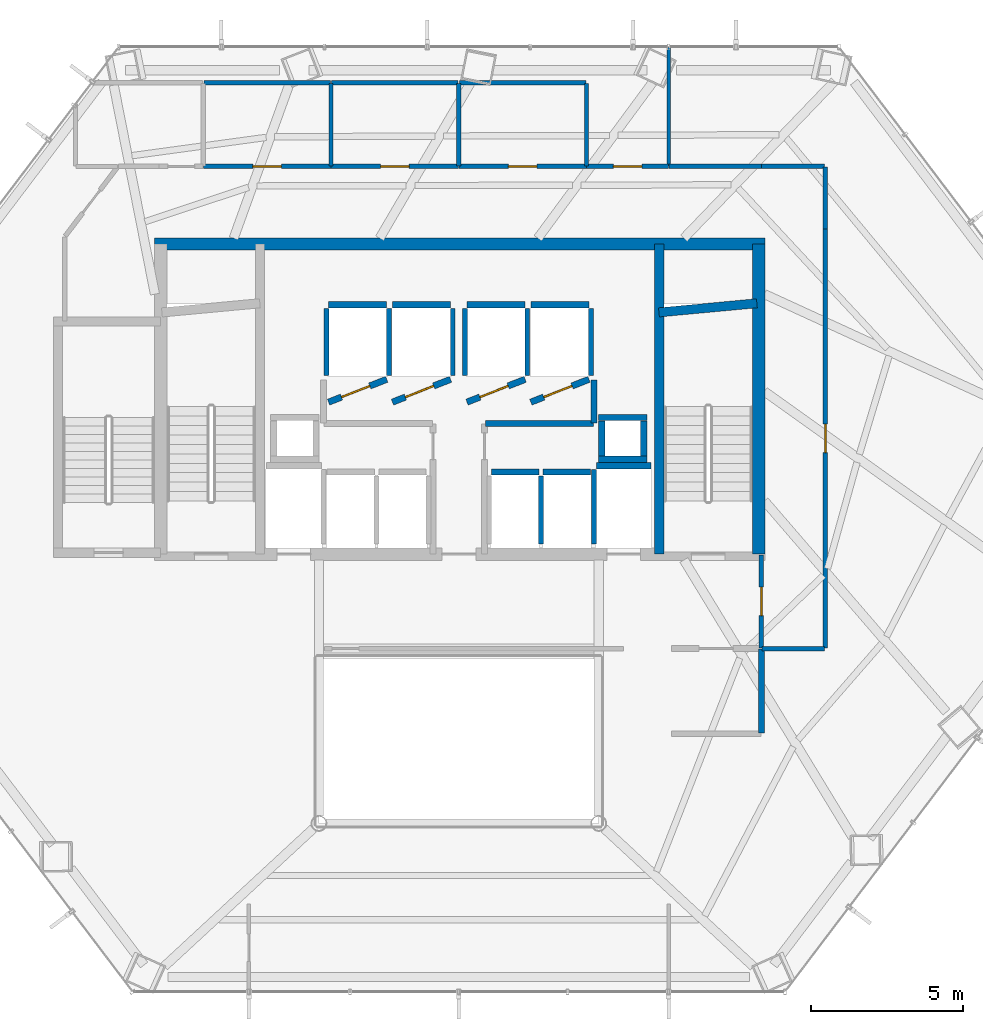
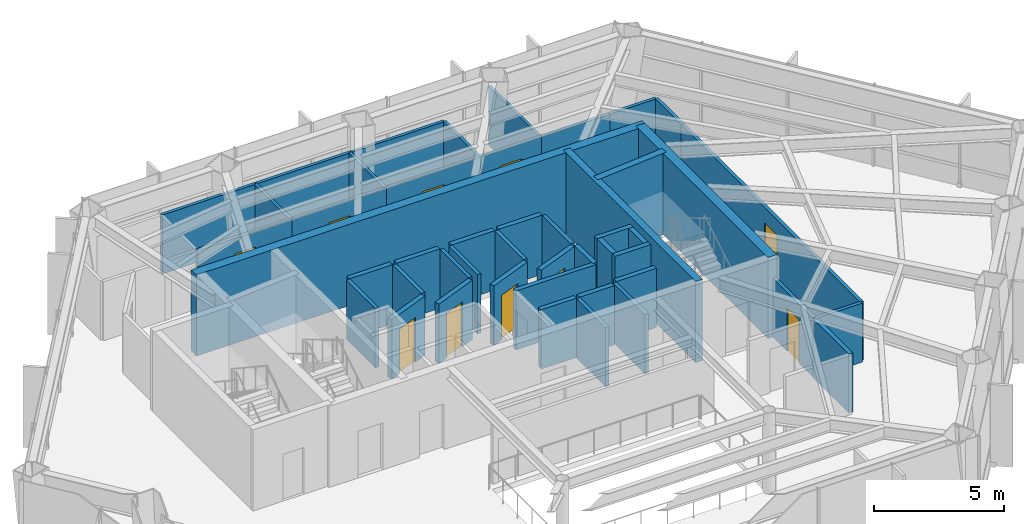
# One storey, part 24 of 26: 47 walls, 10 doors, 10 openings.
"""IFC4 building model written with IfcOpenShell, lengths in metres."""

from ifc_helpers import new_model, si_unit, direction, frame, frame_2d, origin, place, context, subcontext, project, spatial, rectangle, extrude, material, layer, layer_set, type_object, element, fill, save


model = new_model("IFC4")

# Units and contexts
model_context = context("Model", 3, precision=1e-05, world=origin(), true_north=direction((0.0, 1.0)))
body_context = subcontext(model_context, "Body", "Model", "MODEL_VIEW")
ifc_project = project(units=[si_unit("LENGTHUNIT", "METRE"), si_unit("AREAUNIT", "SQUARE_METRE"), si_unit("VOLUMEUNIT", "CUBIC_METRE"), si_unit("PLANEANGLEUNIT", "RADIAN"), si_unit("MASSUNIT", "GRAM", prefix="KILO")], contexts=[model_context])

# Site, building, storey
site_placement = place(None, origin())
site = spatial("IfcSite", under=ifc_project, at=site_placement, CompositionType="ELEMENT")
building_placement = place(site_placement, origin())
building = spatial("IfcBuilding", under=site, at=building_placement, Name="Zarrinselat Tower", CompositionType="ELEMENT")
storey_placement = place(building_placement, frame((0.0, 0.0, 60.179931640625)))
storey = spatial("IfcBuildingStorey", under=building, at=storey_placement, Name="L14", CompositionType="ELEMENT", Elevation=60.179931640625)

# Wall
ifc_material_1 = material(Name="Concrete C40/50", Category="concrete")
ifc_layer_1 = layer(ifc_material_1, 0.18994140625)
ifc_layer_set_1 = layer_set([ifc_layer_1], Name="Concrete C40/50")
wall_type_1 = type_object("IfcWallType", Name="WAL-PART-EI120", PredefinedType="PARTITIONING", material=ifc_layer_set_1)
wall_1_placement = place(storey_placement, frame((48.35009765625, 27.3701171875, 0.0), z_axis=(0.0, 0.0, 1.0), x_axis=(0.0, 1.0, 0.0)))
element("IfcWall", 1, at=wall_1_placement, inside=storey, type_object=wall_type_1, Name="L14 Partition Wall 11", PredefinedType="PARTITIONING", context=body_context, shape_type="SweptSolid", body=[
    extrude(rectangle(XDim=2.759765625, YDim=0.18994140625, at=frame_2d((1.3798828125, 0.0))), origin(), (0.0, 0.0, 1.0), 2.777099609375),
])

# Wall, opening, door
ifc_material_2 = material(Name="Fire-Rated Gypsum Board Partition", Category="gypsum")
ifc_layer_2 = layer(ifc_material_2, 0.14990234375)
ifc_layer_set_2 = layer_set([ifc_layer_2], Name="Fire-Rated Gypsum Board Partition")
wall_type_2 = type_object("IfcWallType", Name="WAL-PART-EI60", PredefinedType="PARTITIONING", material=ifc_layer_set_2)
wall_2_placement = place(storey_placement, frame((48.35009765625, 30.169921875, 0.0), z_axis=(0.0, 0.0, 1.0), x_axis=(0.0, 1.0, 0.0)))
wall_2 = element("IfcWall", 2, at=wall_2_placement, inside=storey, type_object=wall_type_2, Name="L14 Partition Wall 8", PredefinedType="PARTITIONING", context=body_context, shape_type="SweptSolid", body=[
    extrude(rectangle(XDim=3.06005859375, YDim=0.14990234375, at=frame_2d((1.530029296875, 0.0))), origin(), (0.0, 0.0, 1.0), 2.777099609375),
])
opening_1_placement = place(wall_2_placement, frame((1.06005859375, 0.0, 0.0)))
opening_1 = element("IfcOpeningElement", 3, at=opening_1_placement, cuts=wall_2, Name="Opening ID-04", PredefinedType="OPENING", context=body_context, shape_type="SweptSolid", body=[
    extrude(rectangle(XDim=0.93994140625, YDim=2.050048828125, at=frame_2d((0.469970703125, 1.02490234375))), frame((0.0, 0.0849609375, 0.0), z_axis=(0.0, -1.0, 0.0), x_axis=(1.0, 0.0, 0.0)), (0.0, 0.0, 1.0), 0.169921875),
])
ifc_material_3 = material(Name="Fire-Rated Gypsum Board Partition")
door_type_1 = type_object("IfcDoorType", Name="DR-INT-FD30-ENT", OperationType="NOTDEFINED", PredefinedType="DOOR", material=ifc_material_3)
door_1_placement = place(opening_1_placement, origin())
door_1 = element("IfcDoor", 4, at=door_1_placement, inside=storey, type_object=door_type_1, Name="L14 Interior Door P8", OperationType="SINGLE_SWING_RIGHT", OverallHeight=2.050048828125, OverallWidth=0.93994140625, PredefinedType="DOOR", context=body_context, shape_type="SweptSolid", body=[
    extrude(rectangle(XDim=0.93994140625, YDim=2.050048828125, at=frame_2d((0.469970703125, 1.02490234375))), frame((0.0, 0.02490234375, 0.0), z_axis=(0.0, -1.0, 0.0), x_axis=(1.0, 0.0, 0.0)), (0.0, 0.0, 1.0), 0.050048828125),
])
fill(opening_1, door_1)

wall_3_placement = place(storey_placement, frame((30.0048828125, 46.0, 0.0), z_axis=(0.0, 0.0, 1.0), x_axis=(1.0, 0.0, 0.0)))
wall_3 = element("IfcWall", 5, at=wall_3_placement, inside=storey, type_object=wall_type_2, Name="L14 Partition Wall 14", PredefinedType="PARTITIONING", context=body_context, shape_type="SweptSolid", body=[
    extrude(rectangle(XDim=4.190185546875, YDim=0.14990234375, at=frame_2d((2.09521484375, 0.0))), origin(), (0.0, 0.0, 1.0), 2.777099609375),
])
opening_2_placement = place(wall_3_placement, frame((1.625, 0.0, 0.0)))
opening_2 = element("IfcOpeningElement", 6, at=opening_2_placement, cuts=wall_3, Name="Opening ID-04", PredefinedType="OPENING", context=body_context, shape_type="SweptSolid", body=[
    extrude(rectangle(XDim=0.93994140625, YDim=2.050048828125, at=frame_2d((0.469970703125, 1.02490234375))), frame((0.0, 0.0849609375, 0.0), z_axis=(0.0, -1.0, 0.0), x_axis=(1.0, 0.0, 0.0)), (0.0, 0.0, 1.0), 0.169921875),
])
door_2_placement = place(opening_2_placement, origin())
door_2 = element("IfcDoor", 7, at=door_2_placement, inside=storey, type_object=door_type_1, Name="L14 Interior Door P14", OperationType="SINGLE_SWING_LEFT", OverallHeight=2.050048828125, OverallWidth=0.93994140625, PredefinedType="DOOR", context=body_context, shape_type="SweptSolid", body=[
    extrude(rectangle(XDim=0.93994140625, YDim=2.050048828125, at=frame_2d((0.469970703125, 1.02490234375))), frame((0.0, 0.02490234375, 0.0), z_axis=(0.0, -1.0, 0.0), x_axis=(1.0, 0.0, 0.0)), (0.0, 0.0, 1.0), 0.050048828125),
])
fill(opening_2, door_2)

wall_4_placement = place(storey_placement, frame((34.205078125, 46.0, 0.0), z_axis=(0.0, 0.0, 1.0), x_axis=(1.0, 0.0, 0.0)))
wall_4 = element("IfcWall", 8, at=wall_4_placement, inside=storey, type_object=wall_type_2, Name="L14 Partition Wall 15", PredefinedType="PARTITIONING", context=body_context, shape_type="SweptSolid", body=[
    extrude(rectangle(XDim=4.18994140625, YDim=0.14990234375, at=frame_2d((2.094970703125, 0.0))), origin(), (0.0, 0.0, 1.0), 2.777099609375),
])
opening_3_placement = place(wall_4_placement, frame((1.625, 0.0, 0.0)))
opening_3 = element("IfcOpeningElement", 9, at=opening_3_placement, cuts=wall_4, Name="Opening ID-04", PredefinedType="OPENING", context=body_context, shape_type="SweptSolid", body=[
    extrude(rectangle(XDim=0.93994140625, YDim=2.050048828125, at=frame_2d((0.469970703125, 1.02490234375))), frame((0.0, 0.0849609375, 0.0), z_axis=(0.0, -1.0, 0.0), x_axis=(1.0, 0.0, 0.0)), (0.0, 0.0, 1.0), 0.169921875),
])
door_3_placement = place(opening_3_placement, origin())
door_3 = element("IfcDoor", 10, at=door_3_placement, inside=storey, type_object=door_type_1, Name="L14 Interior Door P15", OperationType="SINGLE_SWING_RIGHT", OverallHeight=2.050048828125, OverallWidth=0.93994140625, PredefinedType="DOOR", context=body_context, shape_type="SweptSolid", body=[
    extrude(rectangle(XDim=0.93994140625, YDim=2.050048828125, at=frame_2d((0.469970703125, 1.02490234375))), frame((0.0, 0.02490234375, 0.0), z_axis=(0.0, -1.0, 0.0), x_axis=(1.0, 0.0, 0.0)), (0.0, 0.0, 1.0), 0.050048828125),
])
fill(opening_3, door_3)

wall_5_placement = place(storey_placement, frame((38.405029296875, 46.0, 0.0), z_axis=(0.0, 0.0, 1.0), x_axis=(1.0, 0.0, 0.0)))
wall_5 = element("IfcWall", 11, at=wall_5_placement, inside=storey, type_object=wall_type_2, Name="L14 Partition Wall 16", PredefinedType="PARTITIONING", context=body_context, shape_type="SweptSolid", body=[
    extrude(rectangle(XDim=4.18994140625, YDim=0.14990234375, at=frame_2d((2.094970703125, 0.0))), origin(), (0.0, 0.0, 1.0), 2.777099609375),
])
opening_4_placement = place(wall_5_placement, frame((1.625, 0.0, 0.0)))
opening_4 = element("IfcOpeningElement", 12, at=opening_4_placement, cuts=wall_5, Name="Opening ID-04", PredefinedType="OPENING", context=body_context, shape_type="SweptSolid", body=[
    extrude(rectangle(XDim=0.93994140625, YDim=2.050048828125, at=frame_2d((0.469970703125, 1.02490234375))), frame((0.0, 0.0849609375, 0.0), z_axis=(0.0, -1.0, 0.0), x_axis=(1.0, 0.0, 0.0)), (0.0, 0.0, 1.0), 0.169921875),
])
door_4_placement = place(opening_4_placement, origin())
door_4 = element("IfcDoor", 13, at=door_4_placement, inside=storey, type_object=door_type_1, Name="L14 Interior Door P16", OperationType="SINGLE_SWING_LEFT", OverallHeight=2.050048828125, OverallWidth=0.93994140625, PredefinedType="DOOR", context=body_context, shape_type="SweptSolid", body=[
    extrude(rectangle(XDim=0.93994140625, YDim=2.050048828125, at=frame_2d((0.469970703125, 1.02490234375))), frame((0.0, 0.02490234375, 0.0), z_axis=(0.0, -1.0, 0.0), x_axis=(1.0, 0.0, 0.0)), (0.0, 0.0, 1.0), 0.050048828125),
])
fill(opening_4, door_4)

# Walls
wall_6_placement = place(storey_placement, frame((45.304931640625, 46.0, 0.0), z_axis=(0.0, 0.0, 1.0), x_axis=(1.0, 0.0, 0.0)))
element("IfcWall", 14, at=wall_6_placement, inside=storey, type_object=wall_type_2, Name="L14 Partition Wall 19", PredefinedType="PARTITIONING", context=body_context, shape_type="SweptSolid", body=[
    extrude(rectangle(XDim=3.045166015625, YDim=0.14990234375, at=frame_2d((1.5224609375, 0.0))), origin(), (0.0, 0.0, 1.0), 2.777099609375),
])
wall_7_placement = place(storey_placement, frame((48.35009765625, 46.0, 0.0), z_axis=(0.0, 0.0, 1.0), x_axis=(1.0, 0.0, 0.0)))
element("IfcWall", 15, at=wall_7_placement, inside=storey, type_object=wall_type_2, Name="L14 Partition Wall 20", PredefinedType="PARTITIONING", context=body_context, shape_type="SweptSolid", body=[
    extrude(rectangle(XDim=2.079833984375, YDim=0.14990234375, at=frame_2d((1.0400390625, 0.0))), origin(), (0.0, 0.0, 1.0), 2.777099609375),
])
wall_8_placement = place(storey_placement, frame((50.449951171875, 43.949951171875, 0.0), z_axis=(0.0, 0.0, 1.0), x_axis=(0.0, 1.0, 0.0)))
element("IfcWall", 16, at=wall_8_placement, inside=storey, type_object=wall_type_2, Name="L14 Partition Wall 21", PredefinedType="PARTITIONING", context=body_context, shape_type="SweptSolid", body=[
    extrude(rectangle(XDim=2.030029296875, YDim=0.14990234375, at=frame_2d((1.01513671875, 0.0))), origin(), (0.0, 0.0, 1.0), 2.777099609375),
])

# Wall, opening, door
wall_9_placement = place(storey_placement, frame((50.449951171875, 30.169921875, 0.0), z_axis=(0.0, 0.0, 1.0), x_axis=(0.0, 1.0, 0.0)))
wall_9 = element("IfcWall", 17, at=wall_9_placement, inside=storey, type_object=wall_type_2, Name="L14 Partition Wall 22", PredefinedType="PARTITIONING", context=body_context, shape_type="SweptSolid", body=[
    extrude(rectangle(XDim=13.780029296875, YDim=0.14990234375, at=frame_2d((6.89013671875, 0.0))), origin(), (0.0, 0.0, 1.0), 2.777099609375),
])
opening_5_placement = place(wall_9_placement, frame((6.419921875, 0.0, 0.0)))
opening_5 = element("IfcOpeningElement", 18, at=opening_5_placement, cuts=wall_9, Name="Opening ID-04", PredefinedType="OPENING", context=body_context, shape_type="SweptSolid", body=[
    extrude(rectangle(XDim=0.93994140625, YDim=2.050048828125, at=frame_2d((0.469970703125, 1.02490234375))), frame((0.0, 0.0849609375, 0.0), z_axis=(0.0, -1.0, 0.0), x_axis=(1.0, 0.0, 0.0)), (0.0, 0.0, 1.0), 0.169921875),
])
door_5_placement = place(opening_5_placement, origin())
door_5 = element("IfcDoor", 19, at=door_5_placement, inside=storey, type_object=door_type_1, Name="L14 Interior Door P22", OperationType="SINGLE_SWING_LEFT", OverallHeight=2.050048828125, OverallWidth=0.93994140625, PredefinedType="DOOR", context=body_context, shape_type="SweptSolid", body=[
    extrude(rectangle(XDim=0.93994140625, YDim=2.050048828125, at=frame_2d((0.469970703125, 1.02490234375))), frame((0.0, 0.02490234375, 0.0), z_axis=(0.0, -1.0, 0.0), x_axis=(1.0, 0.0, 0.0)), (0.0, 0.0, 1.0), 0.050048828125),
])
fill(opening_5, door_5)

# Wall
wall_10_placement = place(storey_placement, frame((48.3701171875, 30.14990234375, 0.0), z_axis=(0.0, 0.0, 1.0), x_axis=(1.0, 0.0, 0.0)))
element("IfcWall", 20, at=wall_10_placement, inside=storey, type_object=wall_type_2, Name="L14 Partition Wall 23", PredefinedType="PARTITIONING", context=body_context, shape_type="SweptSolid", body=[
    extrude(rectangle(XDim=2.059814453125, YDim=0.14990234375, at=frame_2d((1.02978515625, 0.0))), origin(), (0.0, 0.0, 1.0), 2.777099609375),
])

# Wall, opening, door
wall_11_placement = place(storey_placement, frame((42.60498046875, 46.0, 0.0), z_axis=(0.0, 0.0, 1.0), x_axis=(1.0, 0.0, 0.0)))
wall_11 = element("IfcWall", 21, at=wall_11_placement, inside=storey, type_object=wall_type_2, Name="L14 Partition Wall 24", PredefinedType="PARTITIONING", context=body_context, shape_type="SweptSolid", body=[
    extrude(rectangle(XDim=2.68994140625, YDim=0.14990234375, at=frame_2d((1.344970703125, 0.0))), origin(), (0.0, 0.0, 1.0), 2.777099609375),
])
opening_6_placement = place(wall_11_placement, frame((0.875, 0.0, 0.0)))
opening_6 = element("IfcOpeningElement", 22, at=opening_6_placement, cuts=wall_11, Name="Opening ID-04", PredefinedType="OPENING", context=body_context, shape_type="SweptSolid", body=[
    extrude(rectangle(XDim=0.93994140625, YDim=2.050048828125, at=frame_2d((0.469970703125, 1.02490234375))), frame((0.0, 0.0849609375, 0.0), z_axis=(0.0, -1.0, 0.0), x_axis=(1.0, 0.0, 0.0)), (0.0, 0.0, 1.0), 0.169921875),
])
door_6_placement = place(opening_6_placement, origin())
door_6 = element("IfcDoor", 23, at=door_6_placement, inside=storey, type_object=door_type_1, Name="L14 Interior Door P24", OperationType="SINGLE_SWING_RIGHT", OverallHeight=2.050048828125, OverallWidth=0.93994140625, PredefinedType="DOOR", context=body_context, shape_type="SweptSolid", body=[
    extrude(rectangle(XDim=0.93994140625, YDim=2.050048828125, at=frame_2d((0.469970703125, 1.02490234375))), frame((0.0, 0.02490234375, 0.0), z_axis=(0.0, -1.0, 0.0), x_axis=(1.0, 0.0, 0.0)), (0.0, 0.0, 1.0), 0.050048828125),
])
fill(opening_6, door_6)

# Walls
ifc_material_4 = material(Name="Concrete C40/50", Category="concrete")
ifc_layer_3 = layer(ifc_material_4, 0.199951171875)
ifc_layer_set_3 = layer_set([ifc_layer_3], Name="Concrete C40/50")
wall_type_3 = type_object("IfcWallType", Name="WAL-PART-PLANT", PredefinedType="PARTITIONING", material=ifc_layer_set_3)
wall_12_placement = place(storey_placement, frame((42.85009765625, 37.570068359375, 0.0), z_axis=(0.0, 0.0, 1.0), x_axis=(0.0, 1.0, 0.0)))
element("IfcWall", 24, at=wall_12_placement, inside=storey, type_object=wall_type_3, Name="L14 Partition Wall 4", PredefinedType="PARTITIONING", context=body_context, shape_type="SweptSolid", body=[
    extrude(rectangle(XDim=1.4150390625, YDim=0.199951171875, at=frame_2d((0.70751953125, 0.0))), origin(), (0.0, 0.0, 1.0), 2.777099609375),
])
wall_13_placement = place(storey_placement, frame((39.27001953125, 37.550048828125, 0.0), z_axis=(0.0, 0.0, 1.0), x_axis=(1.0, 0.0, 0.0)))
element("IfcWall", 25, at=wall_13_placement, inside=storey, type_object=wall_type_3, Name="L14 Partition Wall 5", PredefinedType="PARTITIONING", context=body_context, shape_type="SweptSolid", body=[
    extrude(rectangle(XDim=3.56005859375, YDim=0.199951171875, at=frame_2d((1.780029296875, 0.0))), origin(), (0.0, 0.0, 1.0), 2.777099609375),
])
ifc_material_5 = material(Name="Fire-Rated Gypsum Board Partition", Category="gypsum")
ifc_layer_4 = layer(ifc_material_5, 0.1201171875)
ifc_layer_set_4 = layer_set([ifc_layer_4], Name="Fire-Rated Gypsum Board Partition")
wall_type_4 = type_object("IfcWallType", Name="WAL-PART-STD", PredefinedType="PARTITIONING", material=ifc_layer_set_4)
wall_14_placement = place(storey_placement, frame((45.300048828125, 46.02001953125, 0.0), z_axis=(0.0, 0.0, 1.0), x_axis=(0.0, 1.0, 0.0)))
element("IfcWall", 26, at=wall_14_placement, inside=storey, type_object=wall_type_4, Name="L14 Partition Wall 37", PredefinedType="PARTITIONING", context=body_context, shape_type="SweptSolid", body=[
    extrude(rectangle(XDim=3.892822265625, YDim=0.1201171875, at=frame_2d((1.9462890625, 0.0))), origin(), (0.0, 0.0, 1.0), 2.777099609375),
])
ifc_material_6 = material(Name="Fire-Rated Gypsum Board Partition", Category="gypsum")
ifc_layer_5 = layer(ifc_material_6, 0.135009765625)
ifc_layer_set_5 = layer_set([ifc_layer_5], Name="Fire-Rated Gypsum Board Partition")
wall_type_5 = type_object("IfcWallType", Name="WAL-PART-WET", PredefinedType="PARTITIONING", material=ifc_layer_set_5)
wall_15_placement = place(storey_placement, frame((34.199951171875, 46.02001953125, 0.0), z_axis=(0.0, 0.0, 1.0), x_axis=(0.0, 1.0, 0.0)))
element("IfcWall", 27, at=wall_15_placement, inside=storey, type_object=wall_type_5, Name="L14 Partition Wall 29", PredefinedType="PARTITIONING", context=body_context, shape_type="SweptSolid", body=[
    extrude(rectangle(XDim=2.7099609375, YDim=0.135009765625, at=frame_2d((1.35498046875, 0.0))), origin(), (0.0, 0.0, 1.0), 2.777099609375),
])
wall_16_placement = place(storey_placement, frame((30.02001953125, 48.75, 0.0), z_axis=(0.0, 0.0, 1.0), x_axis=(1.0, 0.0, 0.0)))
element("IfcWall", 28, at=wall_16_placement, inside=storey, type_object=wall_type_5, Name="L14 Partition Wall 30", PredefinedType="PARTITIONING", context=body_context, shape_type="SweptSolid", body=[
    extrude(rectangle(XDim=4.159912109375, YDim=0.135009765625, at=frame_2d((2.080078125, 0.0))), origin(), (0.0, 0.0, 1.0), 2.777099609375),
])
wall_17_placement = place(storey_placement, frame((38.39990234375, 46.02001953125, 0.0), z_axis=(0.0, 0.0, 1.0), x_axis=(0.0, 1.0, 0.0)))
element("IfcWall", 29, at=wall_17_placement, inside=storey, type_object=wall_type_5, Name="L14 Partition Wall 31", PredefinedType="PARTITIONING", context=body_context, shape_type="SweptSolid", body=[
    extrude(rectangle(XDim=2.7099609375, YDim=0.135009765625, at=frame_2d((1.35498046875, 0.0))), origin(), (0.0, 0.0, 1.0), 2.777099609375),
])
wall_18_placement = place(storey_placement, frame((34.219970703125, 48.75, 0.0), z_axis=(0.0, 0.0, 1.0), x_axis=(1.0, 0.0, 0.0)))
element("IfcWall", 30, at=wall_18_placement, inside=storey, type_object=wall_type_5, Name="L14 Partition Wall 32", PredefinedType="PARTITIONING", context=body_context, shape_type="SweptSolid", body=[
    extrude(rectangle(XDim=4.159912109375, YDim=0.135009765625, at=frame_2d((2.080078125, 0.0))), origin(), (0.0, 0.0, 1.0), 2.777099609375),
])
wall_19_placement = place(storey_placement, frame((38.419921875, 48.75, 0.0), z_axis=(0.0, 0.0, 1.0), x_axis=(1.0, 0.0, 0.0)))
element("IfcWall", 31, at=wall_19_placement, inside=storey, type_object=wall_type_5, Name="L14 Partition Wall 33", PredefinedType="PARTITIONING", context=body_context, shape_type="SweptSolid", body=[
    extrude(rectangle(XDim=4.16015625, YDim=0.135009765625, at=frame_2d((2.080078125, 0.0))), origin(), (0.0, 0.0, 1.0), 2.777099609375),
])
wall_20_placement = place(storey_placement, frame((42.60009765625, 46.02001953125, 0.0), z_axis=(0.0, 0.0, 1.0), x_axis=(0.0, 1.0, 0.0)))
element("IfcWall", 32, at=wall_20_placement, inside=storey, type_object=wall_type_5, Name="L14 Partition Wall 34", PredefinedType="PARTITIONING", context=body_context, shape_type="SweptSolid", body=[
    extrude(rectangle(XDim=2.7099609375, YDim=0.135009765625, at=frame_2d((1.35498046875, 0.0))), origin(), (0.0, 0.0, 1.0), 2.777099609375),
])
ifc_material_7 = material(Name="Concrete C40/50", Category="concrete")
ifc_layer_6 = layer(ifc_material_7, 0.2099609375)
ifc_layer_set_6 = layer_set([ifc_layer_6], Name="Concrete C40/50")
wall_type_6 = type_object("IfcWallType", Name="WAL-SHAFT-210", PredefinedType="SOLIDWALL", material=ifc_layer_set_6)
wall_21_placement = place(storey_placement, frame((42.919921875, 36.155029296875, 0.0), z_axis=(0.0, 0.0, 1.0), x_axis=(1.0, 0.0, 0.0)))
element("IfcWall", 33, at=wall_21_placement, inside=storey, type_object=wall_type_6, Name="L14 Lift FFL2 North Shaft Wall", PredefinedType="SOLIDWALL", context=body_context, shape_type="SweptSolid", body=[
    extrude(rectangle(XDim=1.800048828125, YDim=0.2099609375, at=frame_2d((0.89990234375, 0.0))), origin(), (0.0, 0.0, 1.0), 2.7919921875),
])
wall_22_placement = place(storey_placement, frame((42.85009765625, 33.580078125, 0.0), z_axis=(0.0, 0.0, 1.0), x_axis=(0.0, 1.0, 0.0)))
element("IfcWall", 34, at=wall_22_placement, inside=storey, type_object=wall_type_6, Name="L14 Lift FFL2 W Shaft Wall", PredefinedType="SOLIDWALL", context=body_context, shape_type="SweptSolid", body=[
    extrude(rectangle(XDim=2.449951171875, YDim=0.159912109375, at=frame_2d((1.22509765625, 0.0))), origin(), (0.0, 0.0, 1.0), 2.7919921875),
])

# Wall, opening, door
wall_23_placement = place(storey_placement, frame((34.1201171875, 38.25, 0.0), z_axis=(0.0, 0.0, 1.0), x_axis=(0.930804993012, 0.36551616241, 0.0)))
wall_23 = element("IfcWall", 35, at=wall_23_placement, inside=storey, type_object=wall_type_6, Name="L14 Lift PL1 Front Shaft Wall", PredefinedType="SOLIDWALL", context=body_context, shape_type="SweptSolid", body=[
    extrude(rectangle(XDim=2.052001953125, YDim=0.2099609375, at=frame_2d((1.02587890625, 0.0))), origin(), (0.0, 0.0, 1.0), 2.7919921875),
])
opening_7_placement = place(wall_23_placement, frame((0.455078125, 0.0, 0.0)))
opening_7 = element("IfcOpeningElement", 36, at=opening_7_placement, cuts=wall_23, Name="Opening LD-PL1", PredefinedType="OPENING", context=body_context, shape_type="SweptSolid", body=[
    extrude(rectangle(XDim=1.0, YDim=2.10009765625, at=frame_2d((0.5, 1.050048828125))), frame((0.0, 0.114990234375, 0.0), z_axis=(0.0, -1.0, 0.0), x_axis=(1.0, 0.0, 0.0)), (0.0, 0.0, 1.0), 0.22998046875),
])
ifc_material_8 = material(Name="Steel S355J2", Category="steel")
door_type_2 = type_object("IfcDoorType", Name="DR-LIFT-PS-1000", OperationType="NOTDEFINED", PredefinedType="DOOR", material=ifc_material_8)
door_7_placement = place(opening_7_placement, origin())
door_7 = element("IfcDoor", 37, at=door_7_placement, inside=storey, type_object=door_type_2, Name="L14 Lift PL1 Sliding Landing Door", OperationType="SLIDING_TO_LEFT", OverallHeight=2.10009765625, OverallWidth=1.0, PredefinedType="DOOR", context=body_context, shape_type="SweptSolid", body=[
    extrude(rectangle(XDim=1.0, YDim=2.10009765625, at=frame_2d((0.5, 1.050048828125))), frame((0.0, 0.02490234375, 0.0), z_axis=(0.0, -1.0, 0.0), x_axis=(1.0, 0.0, 0.0)), (0.0, 0.0, 1.0), 0.050048828125),
])
fill(opening_7, door_7)

# Walls
wall_24_placement = place(storey_placement, frame((34.1201171875, 41.455078125, 0.0), z_axis=(0.0, 0.0, 1.0), x_axis=(1.0, 0.0, 0.0)))
element("IfcWall", 38, at=wall_24_placement, inside=storey, type_object=wall_type_6, Name="L14 Lift PL1 Rear Shaft Wall", PredefinedType="SOLIDWALL", context=body_context, shape_type="SweptSolid", body=[
    extrude(rectangle(XDim=1.909912109375, YDim=0.2099609375, at=frame_2d((0.955078125, 0.0))), origin(), (0.0, 0.0, 1.0), 2.7919921875),
])
for number, where, z_axis, x_axis, name in (
    (39, (34.050048828125, 39.1201171875, 0.0), (0.0, 0.0, 1.0), (0.0, 1.0, 0.0), "L14 Lift PL1 W Shaft Wall"),
    (40, (36.10009765625, 39.1201171875, 0.0), (0.0, 0.0, 1.0), (0.0, 1.0, 0.0), "L14 Lift PL1 E Shaft Wall"),
):
    element("IfcWall", number, at=place(storey_placement, frame(where, z_axis=z_axis, x_axis=x_axis)), inside=storey, type_object=wall_type_6, Name=name, PredefinedType="SOLIDWALL", context=body_context, shape_type="SweptSolid", body=[
        extrude(rectangle(XDim=2.2099609375, YDim=0.159912109375, at=frame_2d((1.10498046875, 0.0))), origin(), (0.0, 0.0, 1.0), 2.7919921875),
    ])

# Wall, opening, door
wall_25_placement = place(storey_placement, frame((36.219970703125, 38.25, 0.0), z_axis=(0.0, 0.0, 1.0), x_axis=(0.930804993012, 0.36551616241, 0.0)))
wall_25 = element("IfcWall", 41, at=wall_25_placement, inside=storey, type_object=wall_type_6, Name="L14 Lift PL2 Front Shaft Wall", PredefinedType="SOLIDWALL", context=body_context, shape_type="SweptSolid", body=[
    extrude(rectangle(XDim=2.052001953125, YDim=0.2099609375, at=frame_2d((1.02587890625, 0.0))), origin(), (0.0, 0.0, 1.0), 2.7919921875),
])
opening_8_placement = place(wall_25_placement, frame((0.455078125, 0.0, 0.0)))
opening_8 = element("IfcOpeningElement", 42, at=opening_8_placement, cuts=wall_25, Name="Opening LD-PL2", PredefinedType="OPENING", context=body_context, shape_type="SweptSolid", body=[
    extrude(rectangle(XDim=1.0, YDim=2.10009765625, at=frame_2d((0.5, 1.050048828125))), frame((0.0, 0.114990234375, 0.0), z_axis=(0.0, -1.0, 0.0), x_axis=(1.0, 0.0, 0.0)), (0.0, 0.0, 1.0), 0.22998046875),
])
door_8_placement = place(opening_8_placement, origin())
door_8 = element("IfcDoor", 43, at=door_8_placement, inside=storey, type_object=door_type_2, Name="L14 Lift PL2 Sliding Landing Door", OperationType="SLIDING_TO_RIGHT", OverallHeight=2.10009765625, OverallWidth=1.0, PredefinedType="DOOR", context=body_context, shape_type="SweptSolid", body=[
    extrude(rectangle(XDim=1.0, YDim=2.10009765625, at=frame_2d((0.5, 1.050048828125))), frame((0.0, 0.02490234375, 0.0), z_axis=(0.0, -1.0, 0.0), x_axis=(1.0, 0.0, 0.0)), (0.0, 0.0, 1.0), 0.050048828125),
])
fill(opening_8, door_8)

# Walls
wall_26_placement = place(storey_placement, frame((36.219970703125, 41.455078125, 0.0), z_axis=(0.0, 0.0, 1.0), x_axis=(1.0, 0.0, 0.0)))
element("IfcWall", 44, at=wall_26_placement, inside=storey, type_object=wall_type_6, Name="L14 Lift PL2 Rear Shaft Wall", PredefinedType="SOLIDWALL", context=body_context, shape_type="SweptSolid", body=[
    extrude(rectangle(XDim=1.909912109375, YDim=0.2099609375, at=frame_2d((0.955078125, 0.0))), origin(), (0.0, 0.0, 1.0), 2.7919921875),
])
wall_27_placement = place(storey_placement, frame((38.199951171875, 39.1201171875, 0.0), z_axis=(0.0, 0.0, 1.0), x_axis=(0.0, 1.0, 0.0)))
element("IfcWall", 45, at=wall_27_placement, inside=storey, type_object=wall_type_6, Name="L14 Lift PL2 E Shaft Wall", PredefinedType="SOLIDWALL", context=body_context, shape_type="SweptSolid", body=[
    extrude(rectangle(XDim=2.2099609375, YDim=0.159912109375, at=frame_2d((1.10498046875, 0.0))), origin(), (0.0, 0.0, 1.0), 2.7919921875),
])

# Wall, opening, door
wall_28_placement = place(storey_placement, frame((38.669921875, 38.25, 0.0), z_axis=(0.0, 0.0, 1.0), x_axis=(0.930820886763, 0.3654756856, 0.0)))
wall_28 = element("IfcWall", 46, at=wall_28_placement, inside=storey, type_object=wall_type_6, Name="L14 Lift PL3 Front Shaft Wall", PredefinedType="SOLIDWALL", context=body_context, shape_type="SweptSolid", body=[
    extrude(rectangle(XDim=2.052001953125, YDim=0.2099609375, at=frame_2d((1.02587890625, 0.0))), origin(), (0.0, 0.0, 1.0), 2.7919921875),
])
opening_9_placement = place(wall_28_placement, frame((0.455078125, 0.0, 0.0)))
opening_9 = element("IfcOpeningElement", 47, at=opening_9_placement, cuts=wall_28, Name="Opening LD-PL3", PredefinedType="OPENING", context=body_context, shape_type="SweptSolid", body=[
    extrude(rectangle(XDim=1.0, YDim=2.10009765625, at=frame_2d((0.5, 1.050048828125))), frame((0.0, 0.114990234375, 0.0), z_axis=(0.0, -1.0, 0.0), x_axis=(1.0, 0.0, 0.0)), (0.0, 0.0, 1.0), 0.22998046875),
])
door_9_placement = place(opening_9_placement, origin())
door_9 = element("IfcDoor", 48, at=door_9_placement, inside=storey, type_object=door_type_2, Name="L14 Lift PL3 Sliding Landing Door", OperationType="SLIDING_TO_LEFT", OverallHeight=2.10009765625, OverallWidth=1.0, PredefinedType="DOOR", context=body_context, shape_type="SweptSolid", body=[
    extrude(rectangle(XDim=1.0, YDim=2.10009765625, at=frame_2d((0.5, 1.050048828125))), frame((0.0, 0.02490234375, 0.0), z_axis=(0.0, -1.0, 0.0), x_axis=(1.0, 0.0, 0.0)), (0.0, 0.0, 1.0), 0.050048828125),
])
fill(opening_9, door_9)

# Walls
wall_29_placement = place(storey_placement, frame((38.669921875, 41.455078125, 0.0), z_axis=(0.0, 0.0, 1.0), x_axis=(1.0, 0.0, 0.0)))
element("IfcWall", 49, at=wall_29_placement, inside=storey, type_object=wall_type_6, Name="L14 Lift PL3 Rear Shaft Wall", PredefinedType="SOLIDWALL", context=body_context, shape_type="SweptSolid", body=[
    extrude(rectangle(XDim=1.91015625, YDim=0.2099609375, at=frame_2d((0.955078125, 0.0))), origin(), (0.0, 0.0, 1.0), 2.7919921875),
])
for number, where, z_axis, x_axis, name in (
    (50, (38.60009765625, 39.1201171875, 0.0), (0.0, 0.0, 1.0), (0.0, 1.0, 0.0), "L14 Lift PL3 W Shaft Wall"),
    (51, (40.64990234375, 39.1201171875, 0.0), (0.0, 0.0, 1.0), (0.0, 1.0, 0.0), "L14 Lift PL3 E Shaft Wall"),
):
    element("IfcWall", number, at=place(storey_placement, frame(where, z_axis=z_axis, x_axis=x_axis)), inside=storey, type_object=wall_type_6, Name=name, PredefinedType="SOLIDWALL", context=body_context, shape_type="SweptSolid", body=[
        extrude(rectangle(XDim=2.2099609375, YDim=0.159912109375, at=frame_2d((1.10498046875, 0.0))), origin(), (0.0, 0.0, 1.0), 2.7919921875),
    ])

# Wall, opening, door
wall_30_placement = place(storey_placement, frame((40.77001953125, 38.25, 0.0), z_axis=(0.0, 0.0, 1.0), x_axis=(0.930804993012, 0.36551616241, 0.0)))
wall_30 = element("IfcWall", 52, at=wall_30_placement, inside=storey, type_object=wall_type_6, Name="L14 Lift PL4 Front Shaft Wall", PredefinedType="SOLIDWALL", context=body_context, shape_type="SweptSolid", body=[
    extrude(rectangle(XDim=2.052001953125, YDim=0.2099609375, at=frame_2d((1.02587890625, 0.0))), origin(), (0.0, 0.0, 1.0), 2.7919921875),
])
opening_10_placement = place(wall_30_placement, frame((0.455078125, 0.0, 0.0)))
opening_10 = element("IfcOpeningElement", 53, at=opening_10_placement, cuts=wall_30, Name="Opening LD-PL4", PredefinedType="OPENING", context=body_context, shape_type="SweptSolid", body=[
    extrude(rectangle(XDim=1.0, YDim=2.10009765625, at=frame_2d((0.5, 1.050048828125))), frame((0.0, 0.114990234375, 0.0), z_axis=(0.0, -1.0, 0.0), x_axis=(1.0, 0.0, 0.0)), (0.0, 0.0, 1.0), 0.22998046875),
])
door_10_placement = place(opening_10_placement, origin())
door_10 = element("IfcDoor", 54, at=door_10_placement, inside=storey, type_object=door_type_2, Name="L14 Lift PL4 Sliding Landing Door", OperationType="SLIDING_TO_RIGHT", OverallHeight=2.10009765625, OverallWidth=1.0, PredefinedType="DOOR", context=body_context, shape_type="SweptSolid", body=[
    extrude(rectangle(XDim=1.0, YDim=2.10009765625, at=frame_2d((0.5, 1.050048828125))), frame((0.0, 0.02490234375, 0.0), z_axis=(0.0, -1.0, 0.0), x_axis=(1.0, 0.0, 0.0)), (0.0, 0.0, 1.0), 0.050048828125),
])
fill(opening_10, door_10)

# Walls
wall_31_placement = place(storey_placement, frame((40.77001953125, 41.455078125, 0.0), z_axis=(0.0, 0.0, 1.0), x_axis=(1.0, 0.0, 0.0)))
element("IfcWall", 55, at=wall_31_placement, inside=storey, type_object=wall_type_6, Name="L14 Lift PL4 Rear Shaft Wall", PredefinedType="SOLIDWALL", context=body_context, shape_type="SweptSolid", body=[
    extrude(rectangle(XDim=1.909912109375, YDim=0.2099609375, at=frame_2d((0.955078125, 0.0))), origin(), (0.0, 0.0, 1.0), 2.7919921875),
])
wall_32_placement = place(storey_placement, frame((42.75, 39.1201171875, 0.0), z_axis=(0.0, 0.0, 1.0), x_axis=(0.0, 1.0, 0.0)))
element("IfcWall", 56, at=wall_32_placement, inside=storey, type_object=wall_type_6, Name="L14 Lift PL4 E Shaft Wall", PredefinedType="SOLIDWALL", context=body_context, shape_type="SweptSolid", body=[
    extrude(rectangle(XDim=2.2099609375, YDim=0.159912109375, at=frame_2d((1.10498046875, 0.0))), origin(), (0.0, 0.0, 1.0), 2.7919921875),
])
wall_33_placement = place(storey_placement, frame((39.469970703125, 35.955078125, 0.0), z_axis=(0.0, 0.0, 1.0), x_axis=(1.0, 0.0, 0.0)))
element("IfcWall", 57, at=wall_33_placement, inside=storey, type_object=wall_type_6, Name="L14 Lift PL8 North Shaft Wall", PredefinedType="SOLIDWALL", context=body_context, shape_type="SweptSolid", body=[
    extrude(rectangle(XDim=1.56005859375, YDim=0.2099609375, at=frame_2d((0.780029296875, 0.0))), origin(), (0.0, 0.0, 1.0), 2.7919921875),
])
wall_34_placement = place(storey_placement, frame((41.10009765625, 33.580078125, 0.0), z_axis=(0.0, 0.0, 1.0), x_axis=(0.0, 1.0, 0.0)))
element("IfcWall", 58, at=wall_34_placement, inside=storey, type_object=wall_type_6, Name="L14 Lift PL8 E Shaft Wall", PredefinedType="SOLIDWALL", context=body_context, shape_type="SweptSolid", body=[
    extrude(rectangle(XDim=2.25, YDim=0.159912109375, at=frame_2d((1.125, 0.0))), origin(), (0.0, 0.0, 1.0), 2.7919921875),
])
wall_35_placement = place(storey_placement, frame((41.169921875, 35.955078125, 0.0), z_axis=(0.0, 0.0, 1.0), x_axis=(1.0, 0.0, 0.0)))
element("IfcWall", 59, at=wall_35_placement, inside=storey, type_object=wall_type_6, Name="L14 Lift PL9 North Shaft Wall", PredefinedType="SOLIDWALL", context=body_context, shape_type="SweptSolid", body=[
    extrude(rectangle(XDim=1.56005859375, YDim=0.2099609375, at=frame_2d((0.780029296875, 0.0))), origin(), (0.0, 0.0, 1.0), 2.7919921875),
])
for number, where, z_axis, x_axis, name in (
    (60, (42.989990234375, 36.375, 0.0), (0.0, 0.0, 1.0), (1.0, 0.0, 0.0), "L14 Core Riser RSR-E S Shaft Wall"),
    (61, (42.989990234375, 37.7451171875, 0.0), (0.0, 0.0, 1.0), (1.0, 0.0, 0.0), "L14 Core Riser RSR-E N Shaft Wall"),
):
    element("IfcWall", number, at=place(storey_placement, frame(where, z_axis=z_axis, x_axis=x_axis)), inside=storey, type_object=wall_type_6, Name=name, PredefinedType="SOLIDWALL", context=body_context, shape_type="SweptSolid", body=[
        extrude(rectangle(XDim=1.60009765625, YDim=0.2099609375, at=frame_2d((0.800048828125, 0.0))), origin(), (0.0, 0.0, 1.0), 3.820068359375),
    ])
for number, where, z_axis, x_axis, name in (
    (62, (43.094970703125, 36.485107421875, 0.0), (0.0, 0.0, 1.0), (0.0, 1.0, 0.0), "L14 Core Riser RSR-E W Shaft Wall"),
    (63, (44.485107421875, 36.485107421875, 0.0), (0.0, 0.0, 1.0), (0.0, 1.0, 0.0), "L14 Core Riser RSR-E E Shaft Wall"),
):
    element("IfcWall", number, at=place(storey_placement, frame(where, z_axis=z_axis, x_axis=x_axis)), inside=storey, type_object=wall_type_6, Name=name, PredefinedType="SOLIDWALL", context=body_context, shape_type="SweptSolid", body=[
        extrude(rectangle(XDim=1.14990234375, YDim=0.2099609375, at=frame_2d((0.574951171875, 0.0))), origin(), (0.0, 0.0, 1.0), 3.820068359375),
    ])
ifc_material_9 = material(Name="Concrete C40/50", Category="concrete")
ifc_layer_7 = layer(ifc_material_9, 0.300048828125)
ifc_layer_set_7 = layer_set([ifc_layer_7], Name="Concrete C40/50")
wall_type_7 = type_object("IfcWallType", Name="WAL-SHEAR-300", PredefinedType="SHEAR", material=ifc_layer_set_7)
wall_36_placement = place(storey_placement, frame((44.989990234375, 33.25, 0.0), z_axis=(0.0, 0.0, 1.0), x_axis=(0.0, 1.0, 0.0)))
element("IfcWall", 64, at=wall_36_placement, inside=storey, type_object=wall_type_7, Name="L14 Core Shear Wall ST2W", PredefinedType="SHEAR", context=body_context, shape_type="SweptSolid", body=[
    extrude(rectangle(XDim=10.199951171875, YDim=0.300048828125, at=frame_2d((5.10009765625, 0.0))), origin(), (0.0, 0.0, 1.0), 3.820068359375),
])
wall_37_placement = place(storey_placement, frame((44.97998046875, 41.199951171875, 0.0), z_axis=(0.0, 0.0, 1.0), x_axis=(0.995686468965, 0.09278176286, 0.0)))
element("IfcWall", 65, at=wall_37_placement, inside=storey, type_object=wall_type_7, Name="L14 Stair 2 North Shaft Wall", PredefinedType="SHEAR", context=body_context, shape_type="SweptSolid", body=[
    extrude(rectangle(XDim=3.23388671875, YDim=0.300048828125, at=frame_2d((1.616943359375, 0.0))), origin(), (0.0, 0.0, 1.0), 3.820068359375),
])
ifc_material_10 = material(Name="Concrete C60/75", Category="concrete")
ifc_layer_8 = layer(ifc_material_10, 0.39990234375)
ifc_layer_set_8 = layer_set([ifc_layer_8], Name="Concrete C60/75")
wall_type_8 = type_object("IfcWallType", Name="WAL-SHEAR-400", PredefinedType="SHEAR", material=ifc_layer_set_8)
wall_38_placement = place(storey_placement, frame((28.39990234375, 43.449951171875, 0.0), z_axis=(0.0, 0.0, 1.0), x_axis=(1.0, 0.0, 0.0)))
element("IfcWall", 66, at=wall_38_placement, inside=storey, type_object=wall_type_8, Name="L14 North Core Shear Wall", PredefinedType="SHEAR", context=body_context, shape_type="SweptSolid", body=[
    extrude(rectangle(XDim=20.06005859375, YDim=0.39990234375, at=frame_2d((10.030029296875, 0.0))), origin(), (0.0, 0.0, 1.0), 3.820068359375),
])
wall_39_placement = place(storey_placement, frame((48.260009765625, 33.25, 0.0), z_axis=(0.0, 0.0, 1.0), x_axis=(0.0, 1.0, 0.0)))
element("IfcWall", 67, at=wall_39_placement, inside=storey, type_object=wall_type_8, Name="L14 Core Shear Wall E", PredefinedType="SHEAR", context=body_context, shape_type="SweptSolid", body=[
    extrude(rectangle(XDim=10.199951171875, YDim=0.39990234375, at=frame_2d((5.10009765625, 0.0))), origin(), (0.0, 0.0, 1.0), 3.820068359375),
])

save(model, "model.ifc")
